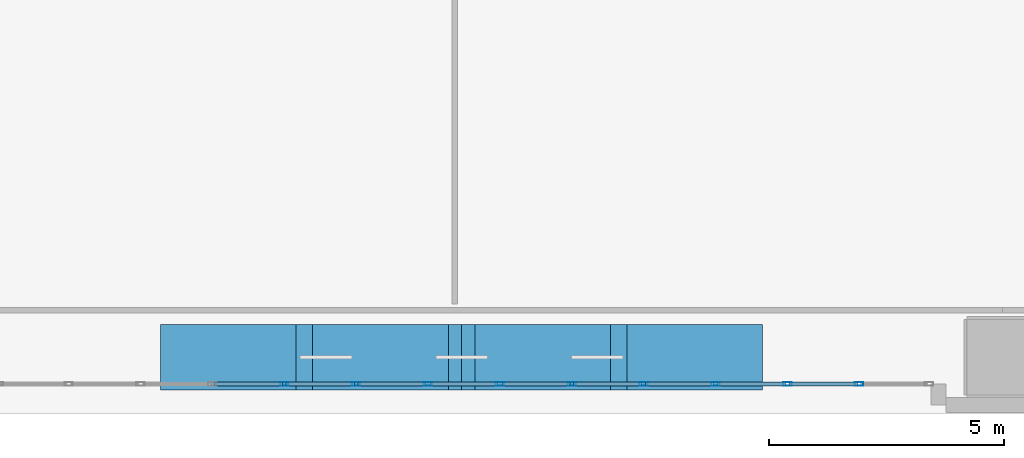
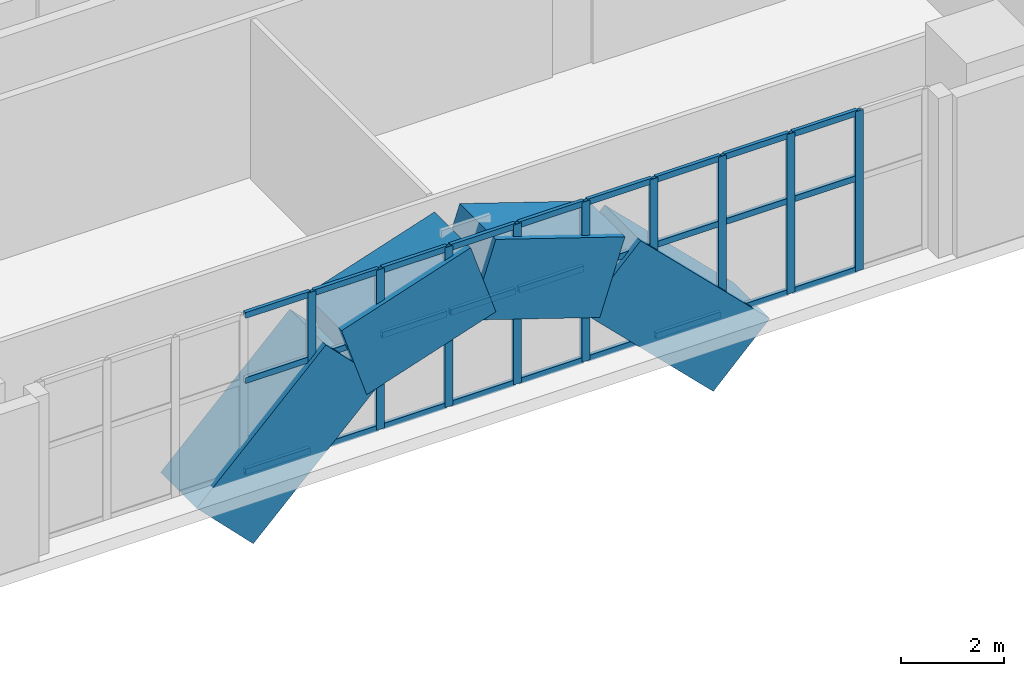
# One storey, part 4 of 22: 40 members, 1 element without a shape of its own.
"""IFC4 building model written with IfcOpenShell, lengths in metres."""

from ifc_helpers import new_model, si_unit, direction, frame, origin, origin_2d, place, context, subcontext, project, spatial, rectangle, hollow_rectangle, extrude, material, layer, layer_set, material_profile, profile_set, type_object, element, aggregate, save


model = new_model("IFC4")

# Units and contexts
model_context = context("Model", 3, precision=1e-05, world=origin(), true_north=direction((0.0, 1.0)))
body_context = subcontext(model_context, "Body", "Model", "MODEL_VIEW")
ifc_project = project(units=[si_unit("LENGTHUNIT", "METRE"), si_unit("AREAUNIT", "SQUARE_METRE"), si_unit("VOLUMEUNIT", "CUBIC_METRE"), si_unit("PLANEANGLEUNIT", "RADIAN"), si_unit("MASSUNIT", "GRAM", prefix="KILO")], contexts=[model_context])

# Site, building, storey
site_placement = place(None, origin())
site = spatial("IfcSite", under=ifc_project, at=site_placement, CompositionType="ELEMENT")
building_placement = place(site_placement, origin())
building = spatial("IfcBuilding", under=site, at=building_placement, Name="Solanera Arch Residences", CompositionType="ELEMENT")
storey_placement = place(building_placement, frame((0.0, 0.0, 13.60009765625)))
storey = spatial("IfcBuildingStorey", under=building, at=storey_placement, Name="L03", CompositionType="ELEMENT", Elevation=13.60009765625)

# Curtain wall, members
ifc_material_1 = material(Name="Anodised Aluminium Alloy 6063-T6", Category="aluminium")
ifc_layer = layer(ifc_material_1, 0.179931640625)
ifc_layer_set = layer_set([ifc_layer], Name="Anodised Aluminium Alloy 6063-T6")
curtain_wall_type = type_object("IfcCurtainWallType", Name="CW-1 Arch Portal Unitised Glazing", PredefinedType="USERDEFINED", material=ifc_layer_set)
curtain_wall_placement = place(storey_placement, origin())
curtain_wall = element("IfcCurtainWall", 1, at=curtain_wall_placement, inside=storey, type_object=curtain_wall_type, Name="L03 Arch Portal Unitised Curtain Wall", ObjectType="CURTAIN_WALL", PredefinedType="USERDEFINED")
ifc_material_2 = material(Name="Anodised Aluminium Alloy 6063-T6", Category="aluminium")
ifc_material_profile_1 = material_profile(ifc_material_2, hollow_rectangle(XDim=0.080078125, YDim=0.179931640625, WallThickness=0.00390625, at=origin_2d()))
ifc_profile_set_1 = profile_set([ifc_material_profile_1], Name="Anodised Aluminium Alloy 6063-T6")
member_type_1 = type_object("IfcMemberType", Name="Curtain Wall Mullion ALU-MUL-80X180", PredefinedType="MULLION", material=ifc_profile_set_1)
member_1_placement = place(storey_placement, frame((33.410888671875, 10.6298828125, 0.0), z_axis=(0.0, 0.0, 1.0), x_axis=(0.0, -1.0, 0.0)))
member_1 = element("IfcMember", 2, at=member_1_placement, type_object=member_type_1, Name="CW-1 mullion 2", PredefinedType="MULLION", context=body_context, shape_type="SweptSolid", body=[
    extrude(hollow_rectangle(XDim=0.080078125, YDim=0.179931640625, WallThickness=0.00390625, at=origin_2d()), origin(), (0.0, 0.0, 1.0), 3.77978515625),
])
member_2_placement = place(storey_placement, frame((31.881591796875, 10.6298828125, 0.0), z_axis=(0.0, 0.0, 1.0), x_axis=(0.0, -1.0, 0.0)))
member_2 = element("IfcMember", 3, at=member_2_placement, type_object=member_type_1, Name="CW-1 mullion 3", PredefinedType="MULLION", context=body_context, shape_type="SweptSolid", body=[
    extrude(hollow_rectangle(XDim=0.080078125, YDim=0.179931640625, WallThickness=0.00390625, at=origin_2d()), origin(), (0.0, 0.0, 1.0), 3.77978515625),
])
member_3_placement = place(storey_placement, frame((30.352294921875, 10.6298828125, 0.0), z_axis=(0.0, 0.0, 1.0), x_axis=(0.0, -1.0, 0.0)))
member_3 = element("IfcMember", 4, at=member_3_placement, type_object=member_type_1, Name="CW-1 mullion 4", PredefinedType="MULLION", context=body_context, shape_type="SweptSolid", body=[
    extrude(hollow_rectangle(XDim=0.080078125, YDim=0.179931640625, WallThickness=0.00390625, at=origin_2d()), origin(), (0.0, 0.0, 1.0), 3.77978515625),
])
member_4_placement = place(storey_placement, frame((28.822998046875, 10.6298828125, 0.0), z_axis=(0.0, 0.0, 1.0), x_axis=(0.0, -1.0, 0.0)))
member_4 = element("IfcMember", 5, at=member_4_placement, type_object=member_type_1, Name="CW-1 mullion 5", PredefinedType="MULLION", context=body_context, shape_type="SweptSolid", body=[
    extrude(hollow_rectangle(XDim=0.080078125, YDim=0.179931640625, WallThickness=0.00390625, at=origin_2d()), origin(), (0.0, 0.0, 1.0), 3.77978515625),
])
member_5_placement = place(storey_placement, frame((27.2939453125, 10.6298828125, 0.0), z_axis=(0.0, 0.0, 1.0), x_axis=(0.0, -1.0, 0.0)))
member_5 = element("IfcMember", 6, at=member_5_placement, type_object=member_type_1, Name="CW-1 mullion 6", PredefinedType="MULLION", context=body_context, shape_type="SweptSolid", body=[
    extrude(hollow_rectangle(XDim=0.080078125, YDim=0.179931640625, WallThickness=0.00390625, at=origin_2d()), origin(), (0.0, 0.0, 1.0), 3.77978515625),
])
member_6_placement = place(storey_placement, frame((25.7646484375, 10.6298828125, 0.0), z_axis=(0.0, 0.0, 1.0), x_axis=(0.0, -1.0, 0.0)))
member_6 = element("IfcMember", 7, at=member_6_placement, type_object=member_type_1, Name="CW-1 mullion 7", PredefinedType="MULLION", context=body_context, shape_type="SweptSolid", body=[
    extrude(hollow_rectangle(XDim=0.080078125, YDim=0.179931640625, WallThickness=0.00390625, at=origin_2d()), origin(), (0.0, 0.0, 1.0), 3.77978515625),
])
member_7_placement = place(storey_placement, frame((24.2353515625, 10.6298828125, 0.0), z_axis=(0.0, 0.0, 1.0), x_axis=(0.0, -1.0, 0.0)))
member_7 = element("IfcMember", 8, at=member_7_placement, type_object=member_type_1, Name="CW-1 mullion 8", PredefinedType="MULLION", context=body_context, shape_type="SweptSolid", body=[
    extrude(hollow_rectangle(XDim=0.080078125, YDim=0.179931640625, WallThickness=0.00390625, at=origin_2d()), origin(), (0.0, 0.0, 1.0), 3.77978515625),
])
member_8_placement = place(storey_placement, frame((22.7060546875, 10.6298828125, 0.0), z_axis=(0.0, 0.0, 1.0), x_axis=(0.0, -1.0, 0.0)))
member_8 = element("IfcMember", 9, at=member_8_placement, type_object=member_type_1, Name="CW-1 mullion 9", PredefinedType="MULLION", context=body_context, shape_type="SweptSolid", body=[
    extrude(hollow_rectangle(XDim=0.080078125, YDim=0.179931640625, WallThickness=0.00390625, at=origin_2d()), origin(), (0.0, 0.0, 1.0), 3.77978515625),
])
member_9_placement = place(storey_placement, frame((21.177001953125, 10.6298828125, 0.0), z_axis=(0.0, 0.0, 1.0), x_axis=(0.0, -1.0, 0.0)))
member_9 = element("IfcMember", 10, at=member_9_placement, type_object=member_type_1, Name="CW-1 mullion 10", PredefinedType="MULLION", context=body_context, shape_type="SweptSolid", body=[
    extrude(hollow_rectangle(XDim=0.080078125, YDim=0.179931640625, WallThickness=0.00390625, at=origin_2d()), origin(), (0.0, 0.0, 1.0), 3.77978515625),
])
ifc_material_3 = material(Name="Anodised Aluminium Alloy 6063-T6", Category="aluminium")
ifc_material_profile_2 = material_profile(ifc_material_3, hollow_rectangle(XDim=0.080078125, YDim=0.139892578125, WallThickness=0.00390625, at=origin_2d()))
ifc_profile_set_2 = profile_set([ifc_material_profile_2], Name="Anodised Aluminium Alloy 6063-T6")
member_type_2 = type_object("IfcMemberType", Name="Curtain Wall Transom ALU-TRN-80X140", PredefinedType="USERDEFINED", material=ifc_profile_set_2)
member_10_placement = place(storey_placement, frame((33.370849609375, 10.6298828125, 0.039794921875), z_axis=(-1.0, 0.0, 0.0), x_axis=(0.0, -1.0, 0.0)))
member_10 = element("IfcMember", 11, at=member_10_placement, type_object=member_type_2, Name="CW-1 transom 2.1", ObjectType="TRANSOM", PredefinedType="USERDEFINED", context=body_context, shape_type="SweptSolid", body=[
    extrude(hollow_rectangle(XDim=0.080078125, YDim=0.139892578125, WallThickness=0.00390625, at=origin_2d()), origin(), (0.0, 0.0, 1.0), 1.44921875),
])
member_11_placement = place(storey_placement, frame((33.370849609375, 10.6298828125, 2.199951171875), z_axis=(-1.0, 0.0, 0.0), x_axis=(0.0, -1.0, 0.0)))
member_11 = element("IfcMember", 12, at=member_11_placement, type_object=member_type_2, Name="CW-1 transom 2.2", ObjectType="TRANSOM", PredefinedType="USERDEFINED", context=body_context, shape_type="SweptSolid", body=[
    extrude(hollow_rectangle(XDim=0.080078125, YDim=0.139892578125, WallThickness=0.00390625, at=origin_2d()), origin(), (0.0, 0.0, 1.0), 1.44921875),
])
member_12_placement = place(storey_placement, frame((33.370849609375, 10.6298828125, 3.739990234375), z_axis=(-1.0, 0.0, 0.0), x_axis=(0.0, -1.0, 0.0)))
member_12 = element("IfcMember", 13, at=member_12_placement, type_object=member_type_2, Name="CW-1 transom 2.3", ObjectType="TRANSOM", PredefinedType="USERDEFINED", context=body_context, shape_type="SweptSolid", body=[
    extrude(hollow_rectangle(XDim=0.080078125, YDim=0.139892578125, WallThickness=0.00390625, at=origin_2d()), origin(), (0.0, 0.0, 1.0), 1.44921875),
])
member_13_placement = place(storey_placement, frame((31.841552734375, 10.6298828125, 0.039794921875), z_axis=(-1.0, 0.0, 0.0), x_axis=(0.0, -1.0, 0.0)))
member_13 = element("IfcMember", 14, at=member_13_placement, type_object=member_type_2, Name="CW-1 transom 3.1", ObjectType="TRANSOM", PredefinedType="USERDEFINED", context=body_context, shape_type="SweptSolid", body=[
    extrude(hollow_rectangle(XDim=0.080078125, YDim=0.139892578125, WallThickness=0.00390625, at=origin_2d()), origin(), (0.0, 0.0, 1.0), 1.44921875),
])
member_14_placement = place(storey_placement, frame((31.841552734375, 10.6298828125, 2.199951171875), z_axis=(-1.0, 0.0, 0.0), x_axis=(0.0, -1.0, 0.0)))
member_14 = element("IfcMember", 15, at=member_14_placement, type_object=member_type_2, Name="CW-1 transom 3.2", ObjectType="TRANSOM", PredefinedType="USERDEFINED", context=body_context, shape_type="SweptSolid", body=[
    extrude(hollow_rectangle(XDim=0.080078125, YDim=0.139892578125, WallThickness=0.00390625, at=origin_2d()), origin(), (0.0, 0.0, 1.0), 1.44921875),
])
member_15_placement = place(storey_placement, frame((31.841552734375, 10.6298828125, 3.739990234375), z_axis=(-1.0, 0.0, 0.0), x_axis=(0.0, -1.0, 0.0)))
member_15 = element("IfcMember", 16, at=member_15_placement, type_object=member_type_2, Name="CW-1 transom 3.3", ObjectType="TRANSOM", PredefinedType="USERDEFINED", context=body_context, shape_type="SweptSolid", body=[
    extrude(hollow_rectangle(XDim=0.080078125, YDim=0.139892578125, WallThickness=0.00390625, at=origin_2d()), origin(), (0.0, 0.0, 1.0), 1.44921875),
])
member_16_placement = place(storey_placement, frame((30.312255859375, 10.6298828125, 0.039794921875), z_axis=(-1.0, 0.0, 0.0), x_axis=(0.0, -1.0, 0.0)))
member_16 = element("IfcMember", 17, at=member_16_placement, type_object=member_type_2, Name="CW-1 transom 4.1", ObjectType="TRANSOM", PredefinedType="USERDEFINED", context=body_context, shape_type="SweptSolid", body=[
    extrude(hollow_rectangle(XDim=0.080078125, YDim=0.139892578125, WallThickness=0.00390625, at=origin_2d()), origin(), (0.0, 0.0, 1.0), 1.44921875),
])
member_17_placement = place(storey_placement, frame((30.312255859375, 10.6298828125, 2.199951171875), z_axis=(-1.0, 0.0, 0.0), x_axis=(0.0, -1.0, 0.0)))
member_17 = element("IfcMember", 18, at=member_17_placement, type_object=member_type_2, Name="CW-1 transom 4.2", ObjectType="TRANSOM", PredefinedType="USERDEFINED", context=body_context, shape_type="SweptSolid", body=[
    extrude(hollow_rectangle(XDim=0.080078125, YDim=0.139892578125, WallThickness=0.00390625, at=origin_2d()), origin(), (0.0, 0.0, 1.0), 1.44921875),
])
member_18_placement = place(storey_placement, frame((30.312255859375, 10.6298828125, 3.739990234375), z_axis=(-1.0, 0.0, 0.0), x_axis=(0.0, -1.0, 0.0)))
member_18 = element("IfcMember", 19, at=member_18_placement, type_object=member_type_2, Name="CW-1 transom 4.3", ObjectType="TRANSOM", PredefinedType="USERDEFINED", context=body_context, shape_type="SweptSolid", body=[
    extrude(hollow_rectangle(XDim=0.080078125, YDim=0.139892578125, WallThickness=0.00390625, at=origin_2d()), origin(), (0.0, 0.0, 1.0), 1.44921875),
])
member_19_placement = place(storey_placement, frame((28.782958984375, 10.6298828125, 0.039794921875), z_axis=(-1.0, 0.0, 0.0), x_axis=(0.0, -1.0, 0.0)))
member_19 = element("IfcMember", 20, at=member_19_placement, type_object=member_type_2, Name="CW-1 transom 5.1", ObjectType="TRANSOM", PredefinedType="USERDEFINED", context=body_context, shape_type="SweptSolid", body=[
    extrude(hollow_rectangle(XDim=0.080078125, YDim=0.139892578125, WallThickness=0.00390625, at=origin_2d()), origin(), (0.0, 0.0, 1.0), 1.44921875),
])
member_20_placement = place(storey_placement, frame((28.782958984375, 10.6298828125, 2.199951171875), z_axis=(-1.0, 0.0, 0.0), x_axis=(0.0, -1.0, 0.0)))
member_20 = element("IfcMember", 21, at=member_20_placement, type_object=member_type_2, Name="CW-1 transom 5.2", ObjectType="TRANSOM", PredefinedType="USERDEFINED", context=body_context, shape_type="SweptSolid", body=[
    extrude(hollow_rectangle(XDim=0.080078125, YDim=0.139892578125, WallThickness=0.00390625, at=origin_2d()), origin(), (0.0, 0.0, 1.0), 1.44921875),
])
member_21_placement = place(storey_placement, frame((28.782958984375, 10.6298828125, 3.739990234375), z_axis=(-1.0, 0.0, 0.0), x_axis=(0.0, -1.0, 0.0)))
member_21 = element("IfcMember", 22, at=member_21_placement, type_object=member_type_2, Name="CW-1 transom 5.3", ObjectType="TRANSOM", PredefinedType="USERDEFINED", context=body_context, shape_type="SweptSolid", body=[
    extrude(hollow_rectangle(XDim=0.080078125, YDim=0.139892578125, WallThickness=0.00390625, at=origin_2d()), origin(), (0.0, 0.0, 1.0), 1.44921875),
])
member_22_placement = place(storey_placement, frame((27.25390625, 10.6298828125, 0.039794921875), z_axis=(-1.0, 0.0, 0.0), x_axis=(0.0, -1.0, 0.0)))
member_22 = element("IfcMember", 23, at=member_22_placement, type_object=member_type_2, Name="CW-1 transom 6.1", ObjectType="TRANSOM", PredefinedType="USERDEFINED", context=body_context, shape_type="SweptSolid", body=[
    extrude(hollow_rectangle(XDim=0.080078125, YDim=0.139892578125, WallThickness=0.00390625, at=origin_2d()), origin(), (0.0, 0.0, 1.0), 1.44921875),
])
member_23_placement = place(storey_placement, frame((27.25390625, 10.6298828125, 2.199951171875), z_axis=(-1.0, 0.0, 0.0), x_axis=(0.0, -1.0, 0.0)))
member_23 = element("IfcMember", 24, at=member_23_placement, type_object=member_type_2, Name="CW-1 transom 6.2", ObjectType="TRANSOM", PredefinedType="USERDEFINED", context=body_context, shape_type="SweptSolid", body=[
    extrude(hollow_rectangle(XDim=0.080078125, YDim=0.139892578125, WallThickness=0.00390625, at=origin_2d()), origin(), (0.0, 0.0, 1.0), 1.44921875),
])
member_24_placement = place(storey_placement, frame((27.25390625, 10.6298828125, 3.739990234375), z_axis=(-1.0, 0.0, 0.0), x_axis=(0.0, -1.0, 0.0)))
member_24 = element("IfcMember", 25, at=member_24_placement, type_object=member_type_2, Name="CW-1 transom 6.3", ObjectType="TRANSOM", PredefinedType="USERDEFINED", context=body_context, shape_type="SweptSolid", body=[
    extrude(hollow_rectangle(XDim=0.080078125, YDim=0.139892578125, WallThickness=0.00390625, at=origin_2d()), origin(), (0.0, 0.0, 1.0), 1.44921875),
])
member_25_placement = place(storey_placement, frame((25.724609375, 10.6298828125, 0.039794921875), z_axis=(-1.0, 0.0, 0.0), x_axis=(0.0, -1.0, 0.0)))
member_25 = element("IfcMember", 26, at=member_25_placement, type_object=member_type_2, Name="CW-1 transom 7.1", ObjectType="TRANSOM", PredefinedType="USERDEFINED", context=body_context, shape_type="SweptSolid", body=[
    extrude(hollow_rectangle(XDim=0.080078125, YDim=0.139892578125, WallThickness=0.00390625, at=origin_2d()), origin(), (0.0, 0.0, 1.0), 1.44921875),
])
member_26_placement = place(storey_placement, frame((25.724609375, 10.6298828125, 2.199951171875), z_axis=(-1.0, 0.0, 0.0), x_axis=(0.0, -1.0, 0.0)))
member_26 = element("IfcMember", 27, at=member_26_placement, type_object=member_type_2, Name="CW-1 transom 7.2", ObjectType="TRANSOM", PredefinedType="USERDEFINED", context=body_context, shape_type="SweptSolid", body=[
    extrude(hollow_rectangle(XDim=0.080078125, YDim=0.139892578125, WallThickness=0.00390625, at=origin_2d()), origin(), (0.0, 0.0, 1.0), 1.44921875),
])
member_27_placement = place(storey_placement, frame((25.724609375, 10.6298828125, 3.739990234375), z_axis=(-1.0, 0.0, 0.0), x_axis=(0.0, -1.0, 0.0)))
member_27 = element("IfcMember", 28, at=member_27_placement, type_object=member_type_2, Name="CW-1 transom 7.3", ObjectType="TRANSOM", PredefinedType="USERDEFINED", context=body_context, shape_type="SweptSolid", body=[
    extrude(hollow_rectangle(XDim=0.080078125, YDim=0.139892578125, WallThickness=0.00390625, at=origin_2d()), origin(), (0.0, 0.0, 1.0), 1.44921875),
])
member_28_placement = place(storey_placement, frame((24.1953125, 10.6298828125, 0.039794921875), z_axis=(-1.0, 0.0, 0.0), x_axis=(0.0, -1.0, 0.0)))
member_28 = element("IfcMember", 29, at=member_28_placement, type_object=member_type_2, Name="CW-1 transom 8.1", ObjectType="TRANSOM", PredefinedType="USERDEFINED", context=body_context, shape_type="SweptSolid", body=[
    extrude(hollow_rectangle(XDim=0.080078125, YDim=0.139892578125, WallThickness=0.00390625, at=origin_2d()), origin(), (0.0, 0.0, 1.0), 1.44921875),
])
member_29_placement = place(storey_placement, frame((24.1953125, 10.6298828125, 2.199951171875), z_axis=(-1.0, 0.0, 0.0), x_axis=(0.0, -1.0, 0.0)))
member_29 = element("IfcMember", 30, at=member_29_placement, type_object=member_type_2, Name="CW-1 transom 8.2", ObjectType="TRANSOM", PredefinedType="USERDEFINED", context=body_context, shape_type="SweptSolid", body=[
    extrude(hollow_rectangle(XDim=0.080078125, YDim=0.139892578125, WallThickness=0.00390625, at=origin_2d()), origin(), (0.0, 0.0, 1.0), 1.44921875),
])
member_30_placement = place(storey_placement, frame((24.1953125, 10.6298828125, 3.739990234375), z_axis=(-1.0, 0.0, 0.0), x_axis=(0.0, -1.0, 0.0)))
member_30 = element("IfcMember", 31, at=member_30_placement, type_object=member_type_2, Name="CW-1 transom 8.3", ObjectType="TRANSOM", PredefinedType="USERDEFINED", context=body_context, shape_type="SweptSolid", body=[
    extrude(hollow_rectangle(XDim=0.080078125, YDim=0.139892578125, WallThickness=0.00390625, at=origin_2d()), origin(), (0.0, 0.0, 1.0), 1.44921875),
])
member_31_placement = place(storey_placement, frame((22.666259765625, 10.6298828125, 0.039794921875), z_axis=(-1.0, 0.0, 0.0), x_axis=(0.0, -1.0, 0.0)))
member_31 = element("IfcMember", 32, at=member_31_placement, type_object=member_type_2, Name="CW-1 transom 9.1", ObjectType="TRANSOM", PredefinedType="USERDEFINED", context=body_context, shape_type="SweptSolid", body=[
    extrude(hollow_rectangle(XDim=0.080078125, YDim=0.139892578125, WallThickness=0.00390625, at=origin_2d()), origin(), (0.0, 0.0, 1.0), 1.44921875),
])
member_32_placement = place(storey_placement, frame((22.666259765625, 10.6298828125, 2.199951171875), z_axis=(-1.0, 0.0, 0.0), x_axis=(0.0, -1.0, 0.0)))
member_32 = element("IfcMember", 33, at=member_32_placement, type_object=member_type_2, Name="CW-1 transom 9.2", ObjectType="TRANSOM", PredefinedType="USERDEFINED", context=body_context, shape_type="SweptSolid", body=[
    extrude(hollow_rectangle(XDim=0.080078125, YDim=0.139892578125, WallThickness=0.00390625, at=origin_2d()), origin(), (0.0, 0.0, 1.0), 1.44921875),
])
member_33_placement = place(storey_placement, frame((22.666259765625, 10.6298828125, 3.739990234375), z_axis=(-1.0, 0.0, 0.0), x_axis=(0.0, -1.0, 0.0)))
member_33 = element("IfcMember", 34, at=member_33_placement, type_object=member_type_2, Name="CW-1 transom 9.3", ObjectType="TRANSOM", PredefinedType="USERDEFINED", context=body_context, shape_type="SweptSolid", body=[
    extrude(hollow_rectangle(XDim=0.080078125, YDim=0.139892578125, WallThickness=0.00390625, at=origin_2d()), origin(), (0.0, 0.0, 1.0), 1.44921875),
])
member_34_placement = place(storey_placement, frame((21.136962890625, 10.6298828125, 0.039794921875), z_axis=(-1.0, 0.0, 0.0), x_axis=(0.0, -1.0, 0.0)))
member_34 = element("IfcMember", 35, at=member_34_placement, type_object=member_type_2, Name="CW-1 transom 10.1", ObjectType="TRANSOM", PredefinedType="USERDEFINED", context=body_context, shape_type="SweptSolid", body=[
    extrude(hollow_rectangle(XDim=0.080078125, YDim=0.139892578125, WallThickness=0.00390625, at=origin_2d()), origin(), (0.0, 0.0, 1.0), 1.44921875),
])
member_35_placement = place(storey_placement, frame((21.136962890625, 10.6298828125, 2.199951171875), z_axis=(-1.0, 0.0, 0.0), x_axis=(0.0, -1.0, 0.0)))
member_35 = element("IfcMember", 36, at=member_35_placement, type_object=member_type_2, Name="CW-1 transom 10.2", ObjectType="TRANSOM", PredefinedType="USERDEFINED", context=body_context, shape_type="SweptSolid", body=[
    extrude(hollow_rectangle(XDim=0.080078125, YDim=0.139892578125, WallThickness=0.00390625, at=origin_2d()), origin(), (0.0, 0.0, 1.0), 1.44921875),
])
member_36_placement = place(storey_placement, frame((21.136962890625, 10.6298828125, 3.739990234375), z_axis=(-1.0, 0.0, 0.0), x_axis=(0.0, -1.0, 0.0)))
member_36 = element("IfcMember", 37, at=member_36_placement, type_object=member_type_2, Name="CW-1 transom 10.3", ObjectType="TRANSOM", PredefinedType="USERDEFINED", context=body_context, shape_type="SweptSolid", body=[
    extrude(hollow_rectangle(XDim=0.080078125, YDim=0.139892578125, WallThickness=0.00390625, at=origin_2d()), origin(), (0.0, 0.0, 1.0), 1.44921875),
])
aggregate(curtain_wall, [member_1, member_2, member_3, member_4, member_5, member_6, member_7, member_8, member_9, member_10, member_11, member_12, member_13, member_14, member_15, member_16, member_17, member_18, member_19, member_20, member_21, member_22, member_23, member_24, member_25, member_26, member_27, member_28, member_29, member_30, member_31, member_32, member_33, member_34, member_35, member_36])

# Members
ifc_material_4 = material(Name="Concrete C55/67 (f'c = 60 MPa)", Category="concrete")
ifc_material_profile_3 = material_profile(ifc_material_4, rectangle(XDim=1.39990234375, YDim=1.800048828125, at=origin_2d()))
ifc_profile_set_3 = profile_set([ifc_material_profile_3], Name="Concrete C55/67 (f'c = 60 MPa)")
member_type_3 = type_object("IfcMemberType", Name="Truss Chord RC-ARCH-1400X1800", PredefinedType="CHORD", material=ifc_profile_set_3)
member_37_placement = place(storey_placement, frame((19.175048828125, 11.199951171875, -1.0), z_axis=(0.711665908254, 0.0, 0.702518067404), x_axis=(0.0, 1.0, 0.0)))
element("IfcMember", 38, at=member_37_placement, inside=storey, type_object=member_type_3, Name="Monumental Podium Concrete Arch Rib 3", PredefinedType="CHORD", context=body_context, shape_type="SweptSolid", body=[
    extrude(rectangle(XDim=1.39990234375, YDim=1.800048828125, at=origin_2d()), origin(), (0.0, 0.0, 1.0), 4.056640625),
])
member_38_placement = place(storey_placement, frame((22.06201171875, 11.199951171875, 1.849853515625), z_axis=(0.949928612691, 0.0, 0.312467007522), x_axis=(0.0, 1.0, 0.0)))
element("IfcMember", 39, at=member_38_placement, inside=storey, type_object=member_type_3, Name="Monumental Podium Concrete Arch Rib 4", PredefinedType="CHORD", context=body_context, shape_type="SweptSolid", body=[
    extrude(rectangle(XDim=1.39990234375, YDim=1.800048828125, at=origin_2d()), origin(), (0.0, 0.0, 1.0), 3.040283203125),
])
member_39_placement = place(storey_placement, frame((24.949951171875, 11.199951171875, 2.7998046875), z_axis=(0.949897235788, 0.0, -0.312562380081), x_axis=(0.0, 1.0, 0.0)))
element("IfcMember", 40, at=member_39_placement, inside=storey, type_object=member_type_3, Name="Monumental Podium Concrete Arch Rib 5", PredefinedType="CHORD", context=body_context, shape_type="SweptSolid", body=[
    extrude(rectangle(XDim=1.39990234375, YDim=1.800048828125, at=origin_2d()), origin(), (0.0, 0.0, 1.0), 3.039306640625),
])
member_40_placement = place(storey_placement, frame((27.8369140625, 11.199951171875, 1.849853515625), z_axis=(0.711814372034, 0.0, -0.70236763861), x_axis=(0.0, 1.0, 0.0)))
element("IfcMember", 41, at=member_40_placement, inside=storey, type_object=member_type_3, Name="Monumental Podium Concrete Arch Rib 6", PredefinedType="CHORD", context=body_context, shape_type="SweptSolid", body=[
    extrude(rectangle(XDim=1.39990234375, YDim=1.800048828125, at=origin_2d()), origin(), (0.0, 0.0, 1.0), 4.0576171875),
])

save(model, "model.ifc")
